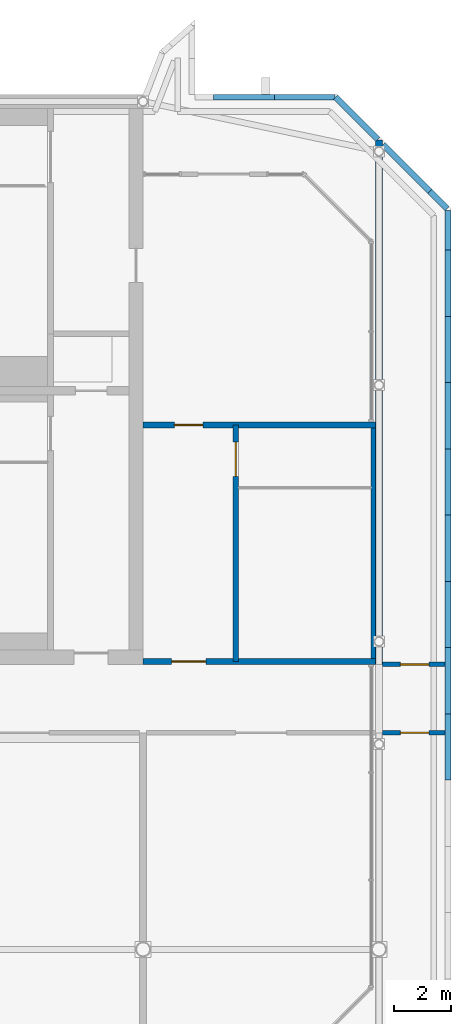
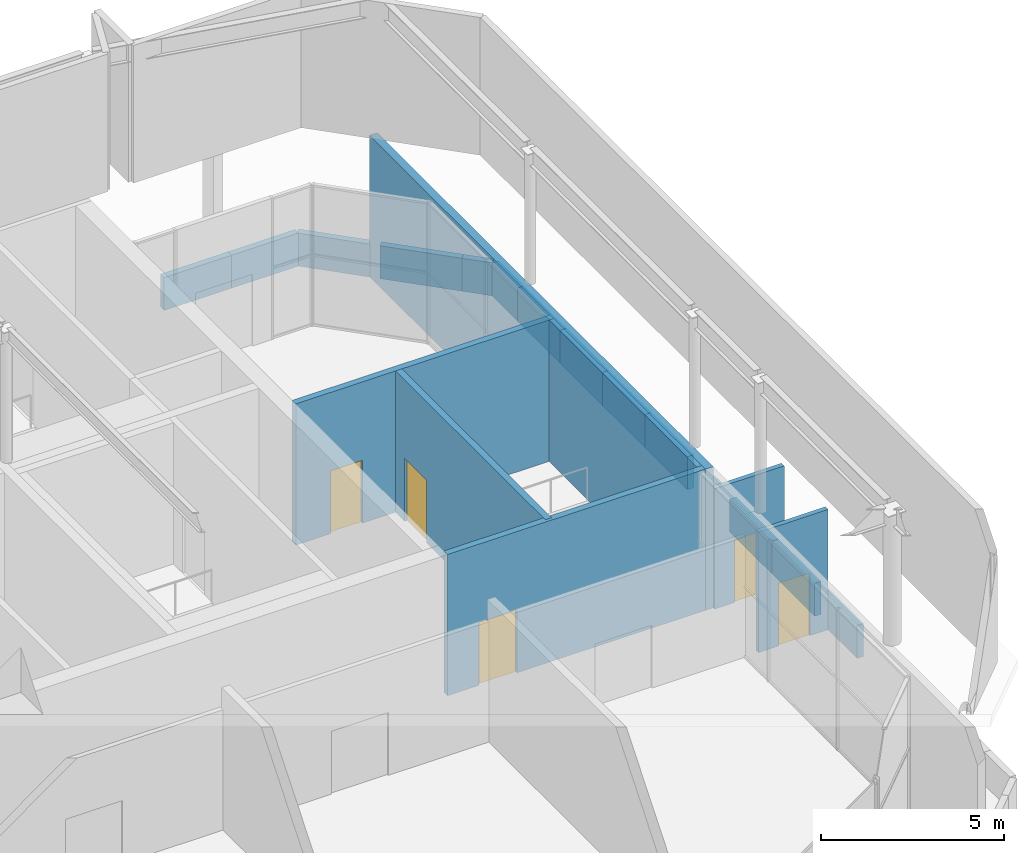
# One storey, part 23 of 25: 21 walls, 5 doors, 5 openings.
"""IFC4 building model written with IfcOpenShell, lengths in metres."""

from ifc_helpers import new_model, si_unit, direction, frame, frame_2d, origin, place, context, subcontext, project, spatial, rectangle, extrude, source, transform, mapped, material, layer, layer_set, type_object, element, fill, save


model = new_model("IFC4")

# Units and contexts
model_context = context("Model", 3, precision=1e-05, world=origin(), true_north=direction((0.0, 1.0)))
body_context = subcontext(model_context, "Body", "Model", "MODEL_VIEW")
ifc_project = project(units=[si_unit("LENGTHUNIT", "METRE"), si_unit("AREAUNIT", "SQUARE_METRE"), si_unit("VOLUMEUNIT", "CUBIC_METRE"), si_unit("PLANEANGLEUNIT", "RADIAN"), si_unit("MASSUNIT", "GRAM", prefix="KILO")], contexts=[model_context])

# Site, building, storey
site_placement = place(None, origin())
site = spatial("IfcSite", under=ifc_project, at=site_placement, CompositionType="ELEMENT")
building_placement = place(site_placement, origin())
building = spatial("IfcBuilding", under=site, at=building_placement, Name="Vanashikhar Sky Hotel", CompositionType="ELEMENT")
storey_placement = place(building_placement, frame((0.0, 0.0, 329.699951171875)))
storey = spatial("IfcBuildingStorey", under=building, at=storey_placement, Name="L78", CompositionType="ELEMENT", Elevation=329.699951171875)

# Walls
ifc_material_1 = material(Name="Concrete M50", Category="concrete")
ifc_layer_1 = layer(ifc_material_1, 0.25)
ifc_layer_set_1 = layer_set([ifc_layer_1], Name="RC shear wall 250 Concrete M50")
wall_type_1 = type_object("IfcWallType", Name="RC shear wall 250 Concrete M50", PredefinedType="SHEAR", material=ifc_layer_set_1)
shared_shape_1 = source(origin(), body_context, "Body", "SweptSolid", [
    extrude(rectangle(XDim=18.39990234375, YDim=0.25, at=frame_2d((9.199951171875, 0.0))), origin(), (0.0, 0.0, 1.0), 4.719970703125),
])
wall_1_placement = place(storey_placement, frame((83.875, 22.0, 0.0), z_axis=(0.0, 0.0, 1.0), x_axis=(0.0, 1.0, 0.0)))
element("IfcWall", 1, at=wall_1_placement, inside=storey, type_object=wall_type_1, Name="CW-L78-XW11-2", PredefinedType="SHEAR", context=body_context, shape_type="MappedRepresentation", body=[
    mapped(shared_shape_1, transform((0.0, 0.0, 0.0), scale=1.0)),
])
ifc_layer_2 = layer(ifc_material_1, 0.199951171875)
ifc_layer_set_2 = layer_set([ifc_layer_2], Name="Parapet 200")
wall_type_2 = type_object("IfcWallType", Name="Parapet 200", PredefinedType="PARAPET", material=ifc_layer_set_2)
shared_shape_2 = source(origin(), body_context, "Body", "SweptSolid", [
    extrude(rectangle(XDim=2.32421875, YDim=0.199951171875, at=frame_2d((1.162109375, 0.0))), origin(), (0.0, 0.0, 1.0), 1.10009765625),
])
for number, where, z_axis, x_axis, name in (
    (2, (84.02001953125, 40.238525390625, 0.0), (0.0, 0.0, 1.0), (0.707106781187, -0.707106781187, 0.0), "Lookout balustrade wall"),
    (3, (86.300048828125, 34.209716796875, 0.0), (0.0, 0.0, 1.0), (0.0, -1.0, 0.0), "Lookout balustrade wall"),
    (4, (86.300048828125, 24.912109375, 0.0), (0.0, 0.0, 1.0), (0.0, -1.0, 0.0), "Lookout balustrade wall"),
):
    element("IfcWall", number, at=place(storey_placement, frame(where, z_axis=z_axis, x_axis=x_axis)), inside=storey, type_object=wall_type_2, Name=name, PredefinedType="PARAPET", context=body_context, shape_type="MappedRepresentation", body=[
        mapped(shared_shape_2, transform((0.0, 0.0, 0.0), scale=1.0)),
    ])
shared_shape_3 = source(origin(), body_context, "Body", "SweptSolid", [
    extrude(rectangle(XDim=0.858642578125, YDim=0.199951171875, at=frame_2d((0.42919921875, 0.0))), origin(), (0.0, 0.0, 1.0), 1.10009765625),
])
wall_2_placement = place(storey_placement, frame((85.66357421875, 38.594970703125, 0.0), z_axis=(0.0, 0.0, 1.0), x_axis=(0.707106781187, -0.707106781187, 0.0)))
element("IfcWall", 5, at=wall_2_placement, inside=storey, type_object=wall_type_2, Name="Lookout balustrade wall", PredefinedType="PARAPET", context=body_context, shape_type="MappedRepresentation", body=[
    mapped(shared_shape_3, transform((0.0, 0.0, 0.0), scale=1.0)),
])
shared_shape_4 = source(origin(), body_context, "Body", "SweptSolid", [
    extrude(rectangle(XDim=1.383056640625, YDim=0.199951171875, at=frame_2d((0.69140625, 0.0))), origin(), (0.0, 0.0, 1.0), 1.10009765625),
])
wall_3_placement = place(storey_placement, frame((86.300048828125, 37.917236328125, 0.0), z_axis=(0.0, 0.0, 1.0), x_axis=(0.0, -1.0, 0.0)))
element("IfcWall", 6, at=wall_3_placement, inside=storey, type_object=wall_type_2, Name="Lookout balustrade wall", PredefinedType="PARAPET", context=body_context, shape_type="MappedRepresentation", body=[
    mapped(shared_shape_4, transform((0.0, 0.0, 0.0), scale=1.0)),
])
shared_shape_5 = source(origin(), body_context, "Body", "SweptSolid", [
    extrude(rectangle(XDim=2.324462890625, YDim=0.199951171875, at=frame_2d((1.162109375, 0.0))), origin(), (0.0, 0.0, 1.0), 1.10009765625),
])
for number, where, z_axis, x_axis, name in (
    (7, (86.300048828125, 36.5341796875, 0.0), (0.0, 0.0, 1.0), (0.0, -1.0, 0.0), "Lookout balustrade wall"),
    (8, (86.300048828125, 31.885498046875, 0.0), (0.0, 0.0, 1.0), (0.0, -1.0, 0.0), "Lookout balustrade wall"),
    (9, (86.300048828125, 29.56103515625, 0.0), (0.0, 0.0, 1.0), (0.0, -1.0, 0.0), "Lookout balustrade wall"),
    (10, (86.300048828125, 27.236572265625, 0.0), (0.0, 0.0, 1.0), (0.0, -1.0, 0.0), "Lookout balustrade wall"),
    (11, (86.300048828125, 22.587890625, 0.0), (0.0, 0.0, 1.0), (0.0, -1.0, 0.0), "Lookout balustrade wall"),
    (12, (86.300048828125, 20.263427734375, 0.0), (0.0, 0.0, 1.0), (0.0, -1.0, 0.0), "Lookout balustrade wall"),
):
    element("IfcWall", number, at=place(storey_placement, frame(where, z_axis=z_axis, x_axis=x_axis)), inside=storey, type_object=wall_type_2, Name=name, PredefinedType="PARAPET", context=body_context, shape_type="MappedRepresentation", body=[
        mapped(shared_shape_5, transform((0.0, 0.0, 0.0), scale=1.0)),
    ])
shared_shape_6 = source(origin(), body_context, "Body", "SweptSolid", [
    extrude(rectangle(XDim=2.093017578125, YDim=0.199951171875, at=frame_2d((1.04638671875, 0.0))), origin(), (0.0, 0.0, 1.0), 1.10009765625),
])
wall_4_placement = place(storey_placement, frame((82.358642578125, 41.89990234375, 0.0), z_axis=(0.0, 0.0, 1.0), x_axis=(0.707106781187, -0.707106781187, 0.0)))
element("IfcWall", 13, at=wall_4_placement, inside=storey, type_object=wall_type_2, Name="Lookout balustrade wall", PredefinedType="PARAPET", context=body_context, shape_type="MappedRepresentation", body=[
    mapped(shared_shape_6, transform((0.0, 0.0, 0.0), scale=1.0)),
])
shared_shape_7 = source(origin(), body_context, "Body", "SweptSolid", [
    extrude(rectangle(XDim=2.124267578125, YDim=0.199951171875, at=frame_2d((1.06201171875, 0.0))), origin(), (0.0, 0.0, 1.0), 1.10009765625),
])
wall_5_placement = place(storey_placement, frame((80.202880859375, 41.89990234375, 0.0), z_axis=(0.0, 0.0, 1.0), x_axis=(1.0, 0.0, 0.0)))
element("IfcWall", 14, at=wall_5_placement, inside=storey, type_object=wall_type_2, Name="Lookout balustrade wall", PredefinedType="PARAPET", context=body_context, shape_type="MappedRepresentation", body=[
    mapped(shared_shape_7, transform((0.0, 0.0, 0.0), scale=1.0)),
])
shared_shape_8 = source(origin(), body_context, "Body", "SweptSolid", [
    extrude(rectangle(XDim=2.12451171875, YDim=0.199951171875, at=frame_2d((1.062255859375, 0.0))), origin(), (0.0, 0.0, 1.0), 1.10009765625),
])
wall_6_placement = place(storey_placement, frame((78.078369140625, 41.89990234375, 0.0), z_axis=(0.0, 0.0, 1.0), x_axis=(1.0, 0.0, 0.0)))
element("IfcWall", 15, at=wall_6_placement, inside=storey, type_object=wall_type_2, Name="Lookout balustrade wall", PredefinedType="PARAPET", context=body_context, shape_type="MappedRepresentation", body=[
    mapped(shared_shape_8, transform((0.0, 0.0, 0.0), scale=1.0)),
])

# Wall, opening, door
ifc_layer_3 = layer(ifc_material_1, 0.199951171875)
ifc_layer_set_3 = layer_set([ifc_layer_3], Name="Stair wall 200")
wall_type_3 = type_object("IfcWallType", Name="Stair wall 200", PredefinedType="SOLIDWALL", material=ifc_layer_set_3)
shared_shape_9 = source(origin(), body_context, "Body", "SweptSolid", [
    extrude(rectangle(XDim=8.2998046875, YDim=0.199951171875, at=frame_2d((4.14990234375, 0.0))), origin(), (0.0, 0.0, 1.0), 4.719970703125),
])
wall_7_placement = place(storey_placement, frame((78.85009765625, 22.10009765625, 0.0), z_axis=(0.0, 0.0, 1.0), x_axis=(0.0, 1.0, 0.0)))
wall_7 = element("IfcWall", 16, at=wall_7_placement, inside=storey, type_object=wall_type_3, Name="Stair wall 200", PredefinedType="SOLIDWALL", context=body_context, shape_type="MappedRepresentation", body=[
    mapped(shared_shape_9, transform((0.0, 0.0, 0.0), scale=1.0)),
])
shared_shape_10 = source(origin(), body_context, "Body", "SweptSolid", [
    extrude(rectangle(XDim=1.199951171875, YDim=2.10009765625, at=frame_2d((0.60009765625, 1.050048828125))), frame((0.0, 0.10986328125, 0.0), z_axis=(0.0, -1.0, 0.0), x_axis=(1.0, 0.0, 0.0)), (0.0, 0.0, 1.0), 0.219970703125),
])
opening_1_placement = place(wall_7_placement, frame((6.5, 0.0, 0.0)))
opening_1 = element("IfcOpeningElement", 17, at=opening_1_placement, cuts=wall_7, Name="Opening DC-1", PredefinedType="OPENING", context=body_context, shape_type="MappedRepresentation", body=[
    mapped(shared_shape_10, transform((0.0, 0.0, 0.0), scale=1.0)),
])
ifc_material_2 = material(Name="Steel", Category="steel")
door_type_1 = type_object("IfcDoorType", Name="Stair door 1200 FD120", OperationType="NOTDEFINED", PredefinedType="DOOR", material=ifc_material_2)
shared_shape_11 = source(origin(), body_context, "Body", "SweptSolid", [
    extrude(rectangle(XDim=1.199951171875, YDim=2.10009765625, at=frame_2d((0.60009765625, 1.050048828125))), frame((0.0, 0.02490234375, 0.0), z_axis=(0.0, -1.0, 0.0), x_axis=(1.0, 0.0, 0.0)), (0.0, 0.0, 1.0), 0.050048828125),
])
door_1_placement = place(opening_1_placement, origin())
door_1 = element("IfcDoor", 18, at=door_1_placement, inside=storey, type_object=door_type_1, Name="Stair door 1200 FD120", OperationType="SINGLE_SWING_LEFT", OverallHeight=2.10009765625, OverallWidth=1.199951171875, PredefinedType="DOOR", context=body_context, shape_type="MappedRepresentation", body=[
    mapped(shared_shape_11, transform((0.0, 0.0, 0.0), scale=1.0)),
])
fill(opening_1, door_1)

shared_shape_12 = source(origin(), body_context, "Body", "SweptSolid", [
    extrude(rectangle(XDim=8.14990234375, YDim=0.199951171875, at=frame_2d((4.074951171875, 0.0))), origin(), (0.0, 0.0, 1.0), 4.719970703125),
])
wall_8_placement = place(storey_placement, frame((83.75, 22.10009765625, 0.0), z_axis=(0.0, 0.0, 1.0), x_axis=(-1.0, 0.0, 0.0)))
wall_8 = element("IfcWall", 19, at=wall_8_placement, inside=storey, type_object=wall_type_3, Name="Stair wall 200", PredefinedType="SOLIDWALL", context=body_context, shape_type="MappedRepresentation", body=[
    mapped(shared_shape_12, transform((0.0, 0.0, 0.0), scale=1.0)),
])
opening_2_placement = place(wall_8_placement, frame((5.949951171875, 0.0, 0.0)))
opening_2 = element("IfcOpeningElement", 20, at=opening_2_placement, cuts=wall_8, Name="Opening DC-2", PredefinedType="OPENING", context=body_context, shape_type="MappedRepresentation", body=[
    mapped(shared_shape_10, transform((0.0, 0.0, 0.0), scale=1.0)),
])
door_type_2 = type_object("IfcDoorType", Name="Firefighting lobby door 1200 FD120", OperationType="NOTDEFINED", PredefinedType="DOOR", material=ifc_material_2)
door_2_placement = place(opening_2_placement, origin())
door_2 = element("IfcDoor", 21, at=door_2_placement, inside=storey, type_object=door_type_2, Name="Firefighting lobby door 1200 FD120", OperationType="SINGLE_SWING_LEFT", OverallHeight=2.10009765625, OverallWidth=1.199951171875, PredefinedType="DOOR", context=body_context, shape_type="MappedRepresentation", body=[
    mapped(shared_shape_11, transform((0.0, 0.0, 0.0), scale=1.0)),
])
fill(opening_2, door_2)

wall_9_placement = place(storey_placement, frame((83.75, 30.39990234375, 0.0), z_axis=(0.0, 0.0, 1.0), x_axis=(-1.0, 0.0, 0.0)))
wall_9 = element("IfcWall", 22, at=wall_9_placement, inside=storey, type_object=wall_type_3, Name="Stair wall 200", PredefinedType="SOLIDWALL", context=body_context, shape_type="MappedRepresentation", body=[
    mapped(shared_shape_12, transform((0.0, 0.0, 0.0), scale=1.0)),
])
shared_shape_13 = source(origin(), body_context, "Body", "SweptSolid", [
    extrude(rectangle(XDim=1.0, YDim=2.10009765625, at=frame_2d((0.5, 1.050048828125))), frame((0.0, 0.10986328125, 0.0), z_axis=(0.0, -1.0, 0.0), x_axis=(1.0, 0.0, 0.0)), (0.0, 0.0, 1.0), 0.219970703125),
])
opening_3_placement = place(wall_9_placement, frame((6.050048828125, 0.0, 0.0)))
opening_3 = element("IfcOpeningElement", 23, at=opening_3_placement, cuts=wall_9, Name="Opening DC-6", PredefinedType="OPENING", context=body_context, shape_type="MappedRepresentation", body=[
    mapped(shared_shape_13, transform((0.0, 0.0, 0.0), scale=1.0)),
])
door_type_3 = type_object("IfcDoorType", Name="Pocket door 1000 FD60", OperationType="NOTDEFINED", PredefinedType="DOOR", material=ifc_material_2)
shared_shape_14 = source(origin(), body_context, "Body", "SweptSolid", [
    extrude(rectangle(XDim=1.0, YDim=2.10009765625, at=frame_2d((0.5, 1.050048828125))), frame((0.0, 0.02490234375, 0.0), z_axis=(0.0, -1.0, 0.0), x_axis=(1.0, 0.0, 0.0)), (0.0, 0.0, 1.0), 0.050048828125),
])
door_3_placement = place(opening_3_placement, origin())
door_3 = element("IfcDoor", 24, at=door_3_placement, inside=storey, type_object=door_type_3, Name="Pocket door 1000 FD60", OperationType="SINGLE_SWING_LEFT", OverallHeight=2.10009765625, OverallWidth=1.0, PredefinedType="DOOR", context=body_context, shape_type="MappedRepresentation", body=[
    mapped(shared_shape_14, transform((0.0, 0.0, 0.0), scale=1.0)),
])
fill(opening_3, door_3)

# Wall
ifc_layer_4 = layer(ifc_material_1, 0.14990234375)
ifc_layer_set_4 = layer_set([ifc_layer_4], Name="Stair infill wall 150")
wall_type_4 = type_object("IfcWallType", Name="Stair infill wall 150", PredefinedType="SOLIDWALL", material=ifc_layer_set_4)
shared_shape_15 = source(origin(), body_context, "Body", "SweptSolid", [
    extrude(rectangle(XDim=8.10009765625, YDim=0.14990234375, at=frame_2d((4.050048828125, 0.0))), origin(), (0.0, 0.0, 1.0), 4.719970703125),
])
wall_10_placement = place(storey_placement, frame((83.675048828125, 22.199951171875, 0.0), z_axis=(0.0, 0.0, 1.0), x_axis=(0.0, 1.0, 0.0)))
element("IfcWall", 25, at=wall_10_placement, inside=storey, type_object=wall_type_4, Name="Stair infill wall 150", PredefinedType="SOLIDWALL", context=body_context, shape_type="MappedRepresentation", body=[
    mapped(shared_shape_15, transform((0.0, 0.0, 0.0), scale=1.0)),
])

# Wall, opening, door
ifc_material_3 = material(Name="Gypsum plasterboard partition")
ifc_layer_5 = layer(ifc_material_3, 0.14990234375)
ifc_layer_set_5 = layer_set([ifc_layer_5], Name="Corridor and demising partition 150")
wall_type_5 = type_object("IfcWallType", Name="Corridor and demising partition 150", PredefinedType="PARTITIONING", material=ifc_layer_set_5)
shared_shape_16 = source(origin(), body_context, "Body", "SweptSolid", [
    extrude(rectangle(XDim=2.199951171875, YDim=0.14990234375, at=frame_2d((1.10009765625, 0.0))), origin(), (0.0, 0.0, 1.0), 4.02001953125),
])
wall_11_placement = place(storey_placement, frame((84.0, 22.0, 0.0), z_axis=(0.0, 0.0, 1.0), x_axis=(1.0, 0.0, 0.0)))
wall_11 = element("IfcWall", 26, at=wall_11_placement, inside=storey, type_object=wall_type_5, Name="W-L78-PW014", PredefinedType="PARTITIONING", context=body_context, shape_type="MappedRepresentation", body=[
    mapped(shared_shape_16, transform((0.0, 0.0, 0.0), scale=1.0)),
])
shared_shape_17 = source(origin(), body_context, "Body", "SweptSolid", [
    extrude(rectangle(XDim=1.0, YDim=2.10009765625, at=frame_2d((0.5, 1.050048828125))), frame((0.0, 0.0849609375, 0.0), z_axis=(0.0, -1.0, 0.0), x_axis=(1.0, 0.0, 0.0)), (0.0, 0.0, 1.0), 0.169921875),
])
opening_4_placement = place(wall_11_placement, frame((0.625, 0.0, 0.0)))
opening_4 = element("IfcOpeningElement", 27, at=opening_4_placement, cuts=wall_11, Name="Opening D-01", PredefinedType="OPENING", context=body_context, shape_type="MappedRepresentation", body=[
    mapped(shared_shape_17, transform((0.0, 0.0, 0.0), scale=1.0)),
])
ifc_material_4 = material(Name="Timber fire door", Category="wood")
door_type_4 = type_object("IfcDoorType", Name="Guest entry door 1000 FD30S", OperationType="NOTDEFINED", PredefinedType="DOOR", material=ifc_material_4)
door_4_placement = place(opening_4_placement, origin())
door_4 = element("IfcDoor", 28, at=door_4_placement, inside=storey, type_object=door_type_4, Name="D-L78-011", OperationType="SINGLE_SWING_RIGHT", OverallHeight=2.10009765625, OverallWidth=1.0, PredefinedType="DOOR", context=body_context, shape_type="MappedRepresentation", body=[
    mapped(shared_shape_14, transform((0.0, 0.0, 0.0), scale=1.0)),
])
fill(opening_4, door_4)

wall_12_placement = place(storey_placement, frame((84.0, 19.60009765625, 0.0), z_axis=(0.0, 0.0, 1.0), x_axis=(1.0, 0.0, 0.0)))
wall_12 = element("IfcWall", 29, at=wall_12_placement, inside=storey, type_object=wall_type_5, Name="W-L78-PW016", PredefinedType="PARTITIONING", context=body_context, shape_type="MappedRepresentation", body=[
    mapped(shared_shape_16, transform((0.0, 0.0, 0.0), scale=1.0)),
])
opening_5_placement = place(wall_12_placement, frame((0.625, 0.0, 0.0)))
opening_5 = element("IfcOpeningElement", 30, at=opening_5_placement, cuts=wall_12, Name="Opening D-01", PredefinedType="OPENING", context=body_context, shape_type="MappedRepresentation", body=[
    mapped(shared_shape_17, transform((0.0, 0.0, 0.0), scale=1.0)),
])
door_5_placement = place(opening_5_placement, origin())
door_5 = element("IfcDoor", 31, at=door_5_placement, inside=storey, type_object=door_type_4, Name="D-L78-013", OperationType="SINGLE_SWING_RIGHT", OverallHeight=2.10009765625, OverallWidth=1.0, PredefinedType="DOOR", context=body_context, shape_type="MappedRepresentation", body=[
    mapped(shared_shape_14, transform((0.0, 0.0, 0.0), scale=1.0)),
])
fill(opening_5, door_5)

save(model, "model.ifc")
